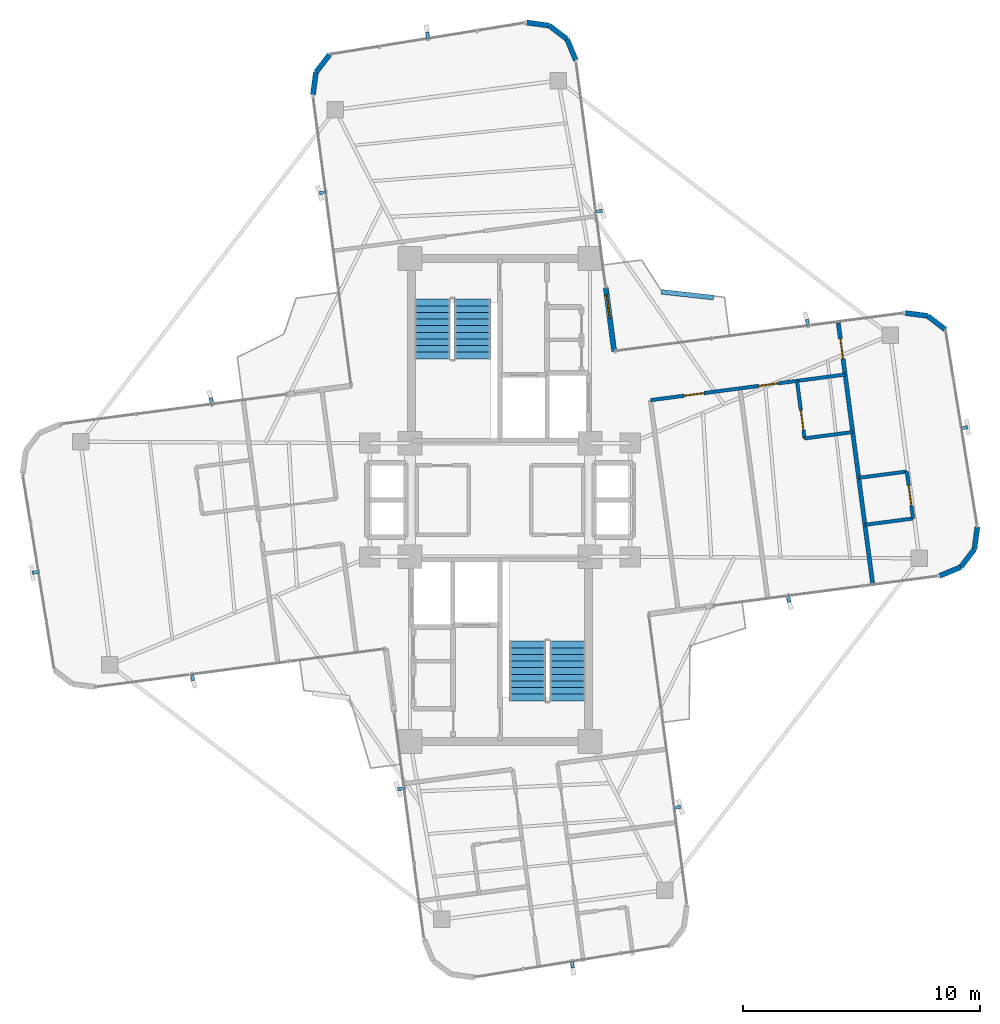
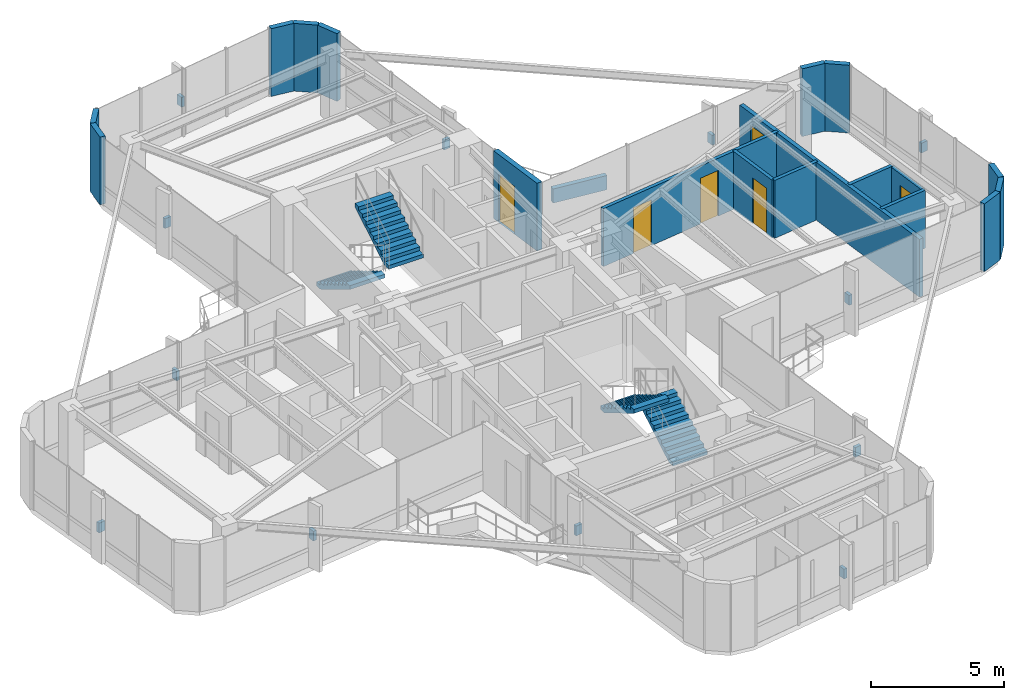
# One storey, part 21 of 22: 19 walls, 12 discrete accessories, 6 doors, 4 stair flights, 6 openings, 2 elements without a shape of their own.
"""IFC4 building model written with IfcOpenShell, lengths in metres."""

from ifc_helpers import new_model, si_unit, direction, frame, frame_2d, origin, origin_2d, place, context, subcontext, project, spatial, polyline, rectangle, outline, extrude, source, transform, mapped, material, layer, layer_set, type_object, element, fill, aggregate, save


model = new_model("IFC4")

# Units and contexts
model_context = context("Model", 3, precision=1e-05, world=origin(), true_north=direction((0.0, 1.0)))
body_context = subcontext(model_context, "Body", "Model", "MODEL_VIEW")
ifc_project = project(units=[si_unit("LENGTHUNIT", "METRE"), si_unit("AREAUNIT", "SQUARE_METRE"), si_unit("VOLUMEUNIT", "CUBIC_METRE"), si_unit("PLANEANGLEUNIT", "RADIAN"), si_unit("MASSUNIT", "GRAM", prefix="KILO")], contexts=[model_context])

# Site, building, storey
site_placement = place(None, origin())
site = spatial("IfcSite", under=ifc_project, at=site_placement, CompositionType="ELEMENT")
building_placement = place(site_placement, origin())
building = spatial("IfcBuilding", under=site, at=building_placement, Name="Sahyath Konkavel Grand Hotel", CompositionType="ELEMENT")
storey_placement = place(building_placement, frame((0.0, 0.0, 269.10009765625)))
storey = spatial("IfcBuildingStorey", under=building, at=storey_placement, Name="L75", CompositionType="ELEMENT", Elevation=269.10009765625)

# Walls
ifc_material_1 = material(Name="Warm Buff Sandstone Insulated Concrete C40/50", Category="masonry")
ifc_layer_1 = layer(ifc_material_1, 0.219970703125)
ifc_layer_set_1 = layer_set([ifc_layer_1], Name="Warm Buff Sandstone Insulated Concrete C40/50")
wall_type_1 = type_object("IfcWallType", Name="WLL-BALC-THRESH", PredefinedType="STANDARD", material=ifc_layer_set_1)
wall_1_placement = place(storey_placement, frame((18.56689453125, -3.203857421875, 0.0), z_axis=(0.0, 0.0, 1.0), x_axis=(0.923926759112, 0.382569397359, 0.0)))
element("IfcWall", 1, at=wall_1_placement, inside=storey, type_object=wall_type_1, Name="L75 Rounded Corner Sandstone Pier 1", PredefinedType="STANDARD", context=body_context, shape_type="SweptSolid", body=[
    extrude(rectangle(XDim=0.957763671875, YDim=0.219970703125, at=frame_2d((0.47900390625, 0.0))), origin(), (0.0, 0.0, 1.0), 3.10986328125),
])
for number, where, z_axis, x_axis, name in (
    (2, (19.451904296875, -2.83740234375, 0.0), (0.0, 0.0, 1.0), (0.60861352168, 0.793466811674, 0.0), "L75 Rounded Corner Sandstone Pier 2"),
    (3, (20.03466796875, -2.07763671875, 0.0), (0.0, 0.0, 1.0), (0.13056005306, 0.991440402921, 0.0), "L75 Rounded Corner Sandstone Pier 3"),
    (4, (18.814208984375, 7.1923828125, 0.0), (0.0, 0.0, 1.0), (-0.793249178392, 0.608897151398, 0.0), "L75 Rounded Corner Sandstone Pier 5"),
):
    element("IfcWall", number, at=place(storey_placement, frame(where, z_axis=z_axis, x_axis=x_axis)), inside=storey, type_object=wall_type_1, Name=name, PredefinedType="STANDARD", context=body_context, shape_type="SweptSolid", body=[
        extrude(rectangle(XDim=0.95751953125, YDim=0.219970703125, at=frame_2d((0.478759765625, 0.0))), origin(), (0.0, 0.0, 1.0), 3.10986328125),
    ])
wall_2_placement = place(storey_placement, frame((18.0546875, 7.775390625, 0.0), z_axis=(0.0, 0.0, 1.0), x_axis=(-0.991449089759, 0.130494070426, 0.0)))
element("IfcWall", 5, at=wall_2_placement, inside=storey, type_object=wall_type_1, Name="L75 Rounded Corner Sandstone Pier 6", PredefinedType="STANDARD", context=body_context, shape_type="SweptSolid", body=[
    extrude(rectangle(XDim=0.9580078125, YDim=0.219970703125, at=frame_2d((0.47900390625, 0.0))), origin(), (0.0, 0.0, 1.0), 3.10986328125),
])

# Wall, opening, door
wall_3_placement = place(storey_placement, frame((4.821044921875, 6.282958984375, 0.0), z_axis=(0.0, 0.0, 1.0), x_axis=(-0.130475563272, 0.991451525486, 0.0)))
wall_3 = element("IfcWall", 6, at=wall_3_placement, inside=storey, type_object=wall_type_1, Name="L75 Winter-Garden Threshold Wall 8", PredefinedType="STANDARD", context=body_context, shape_type="SweptSolid", body=[
    extrude(rectangle(XDim=2.7001953125, YDim=0.219970703125, at=frame_2d((1.35009765625, 0.0))), origin(), (0.0, 0.0, 1.0), 3.10986328125),
])
opening_1_placement = place(wall_3_placement, frame((1.39990234375, 0.0, 0.0)))
opening_1 = element("IfcOpeningElement", 7, at=opening_1_placement, cuts=wall_3, Name="Opening D-TR1", PredefinedType="OPENING", context=body_context, shape_type="SweptSolid", body=[
    extrude(rectangle(XDim=1.0, YDim=2.199951171875, at=frame_2d((0.5, 1.10009765625))), frame((0.0, 0.1201171875, 0.0), z_axis=(0.0, -1.0, 0.0), x_axis=(1.0, 0.0, 0.0)), (0.0, 0.0, 1.0), 0.239990234375),
])
ifc_material_2 = material(Name="Anodised Bronze Aluminium & Low-E Glazing", Category="aluminium")
door_type_1 = type_object("IfcDoorType", Name="DR-TERRACE-1000", OperationType="NOTDEFINED", PredefinedType="DOOR", material=ifc_material_2)
shared_shape_1 = source(origin(), body_context, "Body", "SweptSolid", [
    extrude(rectangle(XDim=1.0, YDim=0.050048828125, at=origin_2d()), origin(), (0.0, 0.0, 1.0), 2.199951171875),
])
door_1_placement = place(opening_1_placement, frame((0.5, 0.0, 0.0)))
door_1 = element("IfcDoor", 8, at=door_1_placement, inside=storey, type_object=door_type_1, Name="L75 Winter-Garden Terrace Door 8", OperationType="SINGLE_SWING_LEFT", OverallHeight=2.199951171875, OverallWidth=1.0, PredefinedType="DOOR", context=body_context, shape_type="MappedRepresentation", body=[
    mapped(shared_shape_1, transform((0.0, 0.0, 0.0), scale=1.0)),
])
fill(opening_1, door_1)

# Walls
wall_4_placement = place(storey_placement, frame((3.203857421875, 18.56689453125, 0.0), z_axis=(0.0, 0.0, 1.0), x_axis=(-0.382569397359, 0.923926759112, 0.0)))
element("IfcWall", 9, at=wall_4_placement, inside=storey, type_object=wall_type_1, Name="L75 Rounded Corner Sandstone Pier 9", PredefinedType="STANDARD", context=body_context, shape_type="SweptSolid", body=[
    extrude(rectangle(XDim=0.957763671875, YDim=0.219970703125, at=frame_2d((0.47900390625, 0.0))), origin(), (0.0, 0.0, 1.0), 3.10986328125),
])
for number, where, z_axis, x_axis, name in (
    (10, (2.83740234375, 19.451904296875, 0.0), (0.0, 0.0, 1.0), (-0.793466811674, 0.60861352168, 0.0), "L75 Rounded Corner Sandstone Pier 10"),
    (11, (2.07763671875, 20.03466796875, 0.0), (0.0, 0.0, 1.0), (-0.991440402921, 0.13056005306, 0.0), "L75 Rounded Corner Sandstone Pier 11"),
    (12, (-7.1923828125, 18.814208984375, 0.0), (0.0, 0.0, 1.0), (-0.608897151398, -0.793249178392, 0.0), "L75 Rounded Corner Sandstone Pier 13"),
):
    element("IfcWall", number, at=place(storey_placement, frame(where, z_axis=z_axis, x_axis=x_axis)), inside=storey, type_object=wall_type_1, Name=name, PredefinedType="STANDARD", context=body_context, shape_type="SweptSolid", body=[
        extrude(rectangle(XDim=0.95751953125, YDim=0.219970703125, at=frame_2d((0.478759765625, 0.0))), origin(), (0.0, 0.0, 1.0), 3.10986328125),
    ])
wall_5_placement = place(storey_placement, frame((-7.775390625, 18.0546875, 0.0), z_axis=(0.0, 0.0, 1.0), x_axis=(-0.130494070426, -0.991449089759, 0.0)))
element("IfcWall", 13, at=wall_5_placement, inside=storey, type_object=wall_type_1, Name="L75 Rounded Corner Sandstone Pier 14", PredefinedType="STANDARD", context=body_context, shape_type="SweptSolid", body=[
    extrude(rectangle(XDim=0.9580078125, YDim=0.219970703125, at=frame_2d((0.47900390625, 0.0))), origin(), (0.0, 0.0, 1.0), 3.10986328125),
])

# Wall, opening, door
ifc_material_3 = material(Name="Twin-Stud Acoustic Gypsum Plasterboard Partition")
ifc_layer_2 = layer(ifc_material_3, 0.179931640625)
ifc_layer_set_2 = layer_set([ifc_layer_2], Name="Twin-Stud Acoustic Gypsum Plasterboard Partition")
wall_type_2 = type_object("IfcWallType", Name="WLL-DEMISE-180", PredefinedType="PARTITIONING", material=ifc_layer_set_2)
wall_6_placement = place(storey_placement, frame((15.73486328125, -3.5263671875, 0.0), z_axis=(0.0, 0.0, 1.0), x_axis=(-0.130515390239, 0.991446283422, 0.0)))
wall_6 = element("IfcWall", 14, at=wall_6_placement, inside=storey, type_object=wall_type_2, Name="L75 Partition E-ETIP-END", PredefinedType="PARTITIONING", context=body_context, shape_type="SweptSolid", body=[
    extrude(rectangle(XDim=11.10009765625, YDim=0.179931640625, at=frame_2d((5.550048828125, 0.0))), origin(), (0.0, 0.0, 1.0), 2.659912109375),
])
opening_2_placement = place(wall_6_placement, frame((9.574951171875, 0.0, 0.0)))
opening_2 = element("IfcOpeningElement", 15, at=opening_2_placement, cuts=wall_6, Name="Opening D-F06D", PredefinedType="OPENING", context=body_context, shape_type="SweptSolid", body=[
    extrude(rectangle(XDim=0.85009765625, YDim=2.10009765625, at=frame_2d((0.425048828125, 1.050048828125))), frame((0.0, 0.10009765625, 0.0), z_axis=(0.0, -1.0, 0.0), x_axis=(1.0, 0.0, 0.0)), (0.0, 0.0, 1.0), 0.199951171875),
])
ifc_material_4 = material(Name="Fire-Rated Shaft Access Door")
door_type_2 = type_object("IfcDoorType", Name="DR-FD60-850", OperationType="NOTDEFINED", PredefinedType="DOOR", material=ifc_material_4)
shared_shape_2 = source(origin(), body_context, "Body", "SweptSolid", [
    extrude(rectangle(XDim=0.85009765625, YDim=0.050048828125, at=origin_2d()), origin(), (0.0, 0.0, 1.0), 2.10009765625),
])
door_2_placement = place(opening_2_placement, frame((0.425048828125, 0.0, 0.0)))
door_2 = element("IfcDoor", 16, at=door_2_placement, inside=storey, type_object=door_type_2, Name="L75 Door E-ETIP-ED", OperationType="SINGLE_SWING_LEFT", OverallHeight=2.10009765625, OverallWidth=0.85009765625, PredefinedType="DOOR", context=body_context, shape_type="MappedRepresentation", body=[
    mapped(shared_shape_2, transform((0.0, 0.0, 0.0), scale=1.0)),
])
fill(opening_2, door_2)

# Wall, openings, doors
ifc_material_5 = material(Name="Fire-Rated Gypsum Plasterboard Partition")
ifc_layer_3 = layer(ifc_material_5, 0.14990234375)
ifc_layer_set_3 = layer_set([ifc_layer_3], Name="Fire-Rated Gypsum Plasterboard Partition")
wall_type_3 = type_object("IfcWallType", Name="WLL-PART-150", PredefinedType="PARTITIONING", material=ifc_layer_set_3)
wall_7_placement = place(storey_placement, frame((6.35400390625, 4.21533203125, 0.0), z_axis=(0.0, 0.0, 1.0), x_axis=(0.991441861772, 0.130548974432, 0.0)))
wall_7 = element("IfcWall", 17, at=wall_7_placement, inside=storey, type_object=wall_type_3, Name="L75 Partition E-G5W", PredefinedType="PARTITIONING", context=body_context, shape_type="SweptSolid", body=[
    extrude(rectangle(XDim=8.290283203125, YDim=0.14990234375, at=frame_2d((4.14501953125, 0.0))), origin(), (0.0, 0.0, 1.0), 2.659912109375),
])
opening_3_placement = place(wall_7_placement, frame((1.430908203125, 0.0, 0.0)))
opening_3 = element("IfcOpeningElement", 18, at=opening_3_placement, cuts=wall_7, Name="Opening D-F06D", PredefinedType="OPENING", context=body_context, shape_type="SweptSolid", body=[
    extrude(rectangle(XDim=0.85009765625, YDim=2.10009765625, at=frame_2d((0.425048828125, 1.050048828125))), frame((0.0, 0.0849609375, 0.0), z_axis=(0.0, -1.0, 0.0), x_axis=(1.0, 0.0, 0.0)), (0.0, 0.0, 1.0), 0.169921875),
])
opening_4_placement = place(wall_7_placement, frame((4.60205078125, 0.0, 0.0)))
opening_4 = element("IfcOpeningElement", 19, at=opening_4_placement, cuts=wall_7, Name="Opening D-F06D", PredefinedType="OPENING", context=body_context, shape_type="SweptSolid", body=[
    extrude(rectangle(XDim=0.85009765625, YDim=2.10009765625, at=frame_2d((0.425048828125, 1.050048828125))), frame((0.0, 0.0849609375, 0.0), z_axis=(0.0, -1.0, 0.0), x_axis=(1.0, 0.0, 0.0)), (0.0, 0.0, 1.0), 0.169921875),
])
door_3_placement = place(opening_3_placement, frame((0.425048828125, 0.0, 0.0)))
door_3 = element("IfcDoor", 20, at=door_3_placement, inside=storey, type_object=door_type_2, Name="L75 Door E-ED1-D", OperationType="SINGLE_SWING_LEFT", OverallHeight=2.10009765625, OverallWidth=0.85009765625, PredefinedType="DOOR", context=body_context, shape_type="MappedRepresentation", body=[
    mapped(shared_shape_2, transform((0.0, 0.0, 0.0), scale=1.0)),
])
fill(opening_3, door_3)
door_4_placement = place(opening_4_placement, frame((0.425048828125, 0.0, 0.0)))
door_4 = element("IfcDoor", 21, at=door_4_placement, inside=storey, type_object=door_type_2, Name="L75 Door E-ED2-ED", OperationType="SINGLE_SWING_LEFT", OverallHeight=2.10009765625, OverallWidth=0.85009765625, PredefinedType="DOOR", context=body_context, shape_type="MappedRepresentation", body=[
    mapped(shared_shape_2, transform((0.0, 0.0, 0.0), scale=1.0)),
])
fill(opening_4, door_4)

# Wall, opening, door
wall_8_placement = place(storey_placement, frame((12.540771484375, 5.02978515625, 0.0), z_axis=(0.0, 0.0, 1.0), x_axis=(0.130544735166, -0.991442419972, 0.0)))
wall_8 = element("IfcWall", 22, at=wall_8_placement, inside=storey, type_object=wall_type_3, Name="L75 Partition E-ED2-BS", PredefinedType="PARTITIONING", context=body_context, shape_type="SweptSolid", body=[
    extrude(rectangle(XDim=2.449951171875, YDim=0.14990234375, at=frame_2d((1.22509765625, 0.0))), origin(), (0.0, 0.0, 1.0), 2.659912109375),
])
opening_5_placement = place(wall_8_placement, frame((1.25, 0.0, 0.0)))
opening_5 = element("IfcOpeningElement", 23, at=opening_5_placement, cuts=wall_8, Name="Opening D-BT85", PredefinedType="OPENING", context=body_context, shape_type="SweptSolid", body=[
    extrude(rectangle(XDim=0.85009765625, YDim=2.10009765625, at=frame_2d((0.425048828125, 1.050048828125))), frame((0.0, 0.0849609375, 0.0), z_axis=(0.0, -1.0, 0.0), x_axis=(1.0, 0.0, 0.0)), (0.0, 0.0, 1.0), 0.169921875),
])
ifc_material_6 = material(Name="Moisture-Resistant Teak Bathroom Door")
door_type_3 = type_object("IfcDoorType", Name="DR-BATH-850", OperationType="NOTDEFINED", PredefinedType="DOOR", material=ifc_material_6)
door_5_placement = place(opening_5_placement, frame((0.425048828125, 0.0, 0.0)))
door_5 = element("IfcDoor", 24, at=door_5_placement, inside=storey, type_object=door_type_3, Name="L75 Door E-ED2-BD", OperationType="SINGLE_SWING_RIGHT", OverallHeight=2.10009765625, OverallWidth=0.85009765625, PredefinedType="DOOR", context=body_context, shape_type="MappedRepresentation", body=[
    mapped(shared_shape_2, transform((0.0, 0.0, 0.0), scale=1.0)),
])
fill(opening_5, door_5)

# Walls
for number, where, z_axis, x_axis, name in (
    (25, (12.860595703125, 2.600830078125, 0.0), (0.0, 0.0, 1.0), (0.991444969909, 0.13052536781, 0.0), "L75 Partition E-ED2-BF"),
    (26, (15.1474609375, 0.93505859375, 0.0), (0.0, 0.0, 1.0), (0.991444969909, 0.13052536781, 0.0), "L75 Partition E-ETIP-BN"),
):
    element("IfcWall", number, at=place(storey_placement, frame(where, z_axis=z_axis, x_axis=x_axis)), inside=storey, type_object=wall_type_3, Name=name, PredefinedType="PARTITIONING", context=body_context, shape_type="SweptSolid", body=[
        extrude(rectangle(XDim=2.050048828125, YDim=0.14990234375, at=frame_2d((1.02490234375, 0.0))), origin(), (0.0, 0.0, 1.0), 2.659912109375),
    ])
wall_9_placement = place(storey_placement, frame((15.40869140625, -1.047607421875, 0.0), z_axis=(0.0, 0.0, 1.0), x_axis=(0.991458349128, 0.130423701621, 0.0)))
element("IfcWall", 27, at=wall_9_placement, inside=storey, type_object=wall_type_3, Name="L75 Partition E-ETIP-BS", PredefinedType="PARTITIONING", context=body_context, shape_type="SweptSolid", body=[
    extrude(rectangle(XDim=2.0498046875, YDim=0.14990234375, at=frame_2d((1.02490234375, 0.0))), origin(), (0.0, 0.0, 1.0), 2.659912109375),
])

# Wall, opening, door
wall_10_placement = place(storey_placement, frame((17.44091796875, -0.7802734375, 0.0), z_axis=(0.0, 0.0, 1.0), x_axis=(-0.130492404742, 0.991449308994, 0.0)))
wall_10 = element("IfcWall", 28, at=wall_10_placement, inside=storey, type_object=wall_type_3, Name="L75 Partition E-ETIP-BE", PredefinedType="PARTITIONING", context=body_context, shape_type="SweptSolid", body=[
    extrude(rectangle(XDim=2.0, YDim=0.14990234375, at=frame_2d((1.0, 0.0))), origin(), (0.0, 0.0, 1.0), 2.6298828125),
])
opening_6_placement = place(wall_10_placement, frame((0.550048828125, 0.0, 0.0)))
opening_6 = element("IfcOpeningElement", 29, at=opening_6_placement, cuts=wall_10, Name="Opening D-BT85", PredefinedType="OPENING", context=body_context, shape_type="SweptSolid", body=[
    extrude(rectangle(XDim=0.85009765625, YDim=2.10009765625, at=frame_2d((0.425048828125, 1.050048828125))), frame((0.0, 0.0849609375, 0.0), z_axis=(0.0, -1.0, 0.0), x_axis=(1.0, 0.0, 0.0)), (0.0, 0.0, 1.0), 0.169921875),
])
door_6_placement = place(opening_6_placement, frame((0.425048828125, 0.0, 0.0)))
door_6 = element("IfcDoor", 30, at=door_6_placement, inside=storey, type_object=door_type_3, Name="L75 Door E-ETIP-BD", OperationType="SINGLE_SWING_RIGHT", OverallHeight=2.10009765625, OverallWidth=0.85009765625, PredefinedType="DOOR", context=body_context, shape_type="MappedRepresentation", body=[
    mapped(shared_shape_2, transform((0.0, 0.0, 0.0), scale=1.0)),
])
fill(opening_6, door_6)

# Wall
ifc_material_7 = material(Name="Warm Buff Sandstone Planter Wall", Category="masonry")
ifc_layer_4 = layer(ifc_material_7, 0.199951171875)
ifc_layer_set_4 = layer_set([ifc_layer_4], Name="Warm Buff Sandstone Planter Wall")
wall_type_4 = type_object("IfcWallType", Name="WLL-PLANTER-200", PredefinedType="PARAPET", material=ifc_layer_set_4)
wall_11_placement = place(storey_placement, frame((9.013427734375, 8.546875, 0.0), z_axis=(0.0, 0.0, 1.0), x_axis=(-0.993982778336, 0.109536461382, 0.0)))
element("IfcWall", 31, at=wall_11_placement, inside=storey, type_object=wall_type_4, Name="L75 Sky-Garden Stone Planter PLANTER NE", PredefinedType="PARAPET", context=body_context, shape_type="SweptSolid", body=[
    extrude(rectangle(XDim=2.215576171875, YDim=0.199951171875, at=frame_2d((1.10791015625, 0.0))), origin(), (0.0, 0.0, 1.0), 0.64990234375),
])

# Stair, stair flights
ifc_material_8 = material(Name="Concrete C40/50", Category="concrete")
stair_type = type_object("IfcStairType", Name="STR-ST16-335", PredefinedType="HALF_TURN_STAIR", material=ifc_material_8)
stair_1_placement = place(storey_placement, origin())
stair_1 = element("IfcStair", 32, at=stair_1_placement, inside=storey, type_object=stair_type, Name="L75 North Core Smokeproof Exit Stair ST-1", PredefinedType="HALF_TURN_STAIR")
stair_flight_type = type_object("IfcStairFlightType", Name="STF-ST16-335", PredefinedType="STRAIGHT", material=ifc_material_8)
stair_flight_1_placement = place(storey_placement, frame((-2.840087890625, 8.47998046875, 0.0), z_axis=(0.0, 0.0, 1.0), x_axis=(0.0, -1.0, 0.0)))
stair_flight_1 = element("IfcStairFlight", 33, at=stair_flight_1_placement, type_object=stair_flight_type, Name="ST-1 flight 1", NumberOfRisers=10, NumberOfTreads=9, PredefinedType="STRAIGHT", RiserHeight=0.1675, TreadLength=0.28, context=body_context, shape_type="SweptSolid", body=[
    extrude(outline(polyline([(0.0, 0.0), (0.0, 0.16748046875), (0.280029296875, 0.16748046875), (0.280029296875, 0.3349609375), (0.56005859375, 0.3349609375), (0.56005859375, 0.50244140625), (0.840087890625, 0.50244140625), (0.840087890625, 0.669921875), (1.1201171875, 0.669921875), (1.1201171875, 0.83740234375), (1.39990234375, 0.83740234375), (1.39990234375, 1.0048828125), (1.679931640625, 1.0048828125), (1.679931640625, 1.172607421875), (1.9599609375, 1.172607421875), (1.9599609375, 1.340087890625), (2.239990234375, 1.340087890625), (2.239990234375, 1.507568359375), (2.52001953125, 1.507568359375), (2.52001953125, 1.675048828125), (2.52001953125, 1.332763671875), (0.2919921875, 0.0), (0.0, 0.0)])), frame((0.0, 0.760009765625, 0.0), z_axis=(0.0, -1.0, 0.0), x_axis=(1.0, 0.0, 0.0)), (0.0, 0.0, 1.0), 1.52001953125),
])
stair_flight_2_placement = place(storey_placement, frame((-1.159912109375, 5.9599609375, 1.6748046875), z_axis=(0.0, 0.0, 1.0), x_axis=(0.0, 1.0, 0.0)))
stair_flight_2 = element("IfcStairFlight", 34, at=stair_flight_2_placement, type_object=stair_flight_type, Name="ST-1 flight 2", NumberOfRisers=10, NumberOfTreads=9, PredefinedType="STRAIGHT", RiserHeight=0.1675, TreadLength=0.28, context=body_context, shape_type="SweptSolid", body=[
    extrude(outline(polyline([(0.0, 0.0), (0.0, 0.16748046875), (0.280029296875, 0.16748046875), (0.280029296875, 0.3349609375), (0.56005859375, 0.3349609375), (0.56005859375, 0.50244140625), (0.840087890625, 0.50244140625), (0.840087890625, 0.669921875), (1.1201171875, 0.669921875), (1.1201171875, 0.83740234375), (1.39990234375, 0.83740234375), (1.39990234375, 1.0048828125), (1.679931640625, 1.0048828125), (1.679931640625, 1.172607421875), (1.9599609375, 1.172607421875), (1.9599609375, 1.340087890625), (2.239990234375, 1.340087890625), (2.239990234375, 1.507568359375), (2.52001953125, 1.507568359375), (2.52001953125, 1.675048828125), (2.52001953125, 1.332763671875), (0.2919921875, 0.0), (0.0, 0.0)])), frame((0.0, 0.760009765625, 0.0), z_axis=(0.0, -1.0, 0.0), x_axis=(1.0, 0.0, 0.0)), (0.0, 0.0, 1.0), 1.52001953125),
])
aggregate(stair_1, [stair_flight_1, stair_flight_2])

stair_2_placement = place(storey_placement, origin())
stair_2 = element("IfcStair", 35, at=stair_2_placement, inside=storey, type_object=stair_type, Name="L75 South Core Smokeproof Exit Stair ST-2", PredefinedType="HALF_TURN_STAIR")
stair_flight_3_placement = place(storey_placement, frame((2.840087890625, -8.47998046875, 0.0), z_axis=(0.0, 0.0, 1.0), x_axis=(0.0, 1.0, 0.0)))
stair_flight_3 = element("IfcStairFlight", 36, at=stair_flight_3_placement, type_object=stair_flight_type, Name="ST-2 flight 1", NumberOfRisers=10, NumberOfTreads=9, PredefinedType="STRAIGHT", RiserHeight=0.1675, TreadLength=0.28, context=body_context, shape_type="SweptSolid", body=[
    extrude(outline(polyline([(0.0, 0.0), (0.0, 0.16748046875), (0.280029296875, 0.16748046875), (0.280029296875, 0.3349609375), (0.56005859375, 0.3349609375), (0.56005859375, 0.50244140625), (0.840087890625, 0.50244140625), (0.840087890625, 0.669921875), (1.1201171875, 0.669921875), (1.1201171875, 0.83740234375), (1.39990234375, 0.83740234375), (1.39990234375, 1.0048828125), (1.679931640625, 1.0048828125), (1.679931640625, 1.172607421875), (1.9599609375, 1.172607421875), (1.9599609375, 1.340087890625), (2.239990234375, 1.340087890625), (2.239990234375, 1.507568359375), (2.52001953125, 1.507568359375), (2.52001953125, 1.675048828125), (2.52001953125, 1.332763671875), (0.2919921875, 0.0), (0.0, 0.0)])), frame((0.0, 0.760009765625, 0.0), z_axis=(0.0, -1.0, 0.0), x_axis=(1.0, 0.0, 0.0)), (0.0, 0.0, 1.0), 1.52001953125),
])
stair_flight_4_placement = place(storey_placement, frame((1.159912109375, -5.9599609375, 1.6748046875), z_axis=(0.0, 0.0, 1.0), x_axis=(0.0, -1.0, 0.0)))
stair_flight_4 = element("IfcStairFlight", 37, at=stair_flight_4_placement, type_object=stair_flight_type, Name="ST-2 flight 2", NumberOfRisers=10, NumberOfTreads=9, PredefinedType="STRAIGHT", RiserHeight=0.1675, TreadLength=0.28, context=body_context, shape_type="SweptSolid", body=[
    extrude(outline(polyline([(0.0, 0.0), (0.0, 0.16748046875), (0.280029296875, 0.16748046875), (0.280029296875, 0.3349609375), (0.56005859375, 0.3349609375), (0.56005859375, 0.50244140625), (0.840087890625, 0.50244140625), (0.840087890625, 0.669921875), (1.1201171875, 0.669921875), (1.1201171875, 0.83740234375), (1.39990234375, 0.83740234375), (1.39990234375, 1.0048828125), (1.679931640625, 1.0048828125), (1.679931640625, 1.172607421875), (1.9599609375, 1.172607421875), (1.9599609375, 1.340087890625), (2.239990234375, 1.340087890625), (2.239990234375, 1.507568359375), (2.52001953125, 1.507568359375), (2.52001953125, 1.675048828125), (2.52001953125, 1.332763671875), (0.2919921875, 0.0), (0.0, 0.0)])), frame((0.0, 0.760009765625, 0.0), z_axis=(0.0, -1.0, 0.0), x_axis=(1.0, 0.0, 0.0)), (0.0, 0.0, 1.0), 1.52001953125),
])
aggregate(stair_2, [stair_flight_3, stair_flight_4])

# Discrete accessories
ifc_material_9 = material(Name="Steel E350", Category="steel")
discrete_accessory_type = type_object("IfcDiscreteAccessoryType", Name="ACC-FIN-BRACKET", PredefinedType="BRACKET", material=ifc_material_9)
shared_shape_3 = source(origin(), body_context, "Body", "SweptSolid", [
    extrude(rectangle(XDim=0.280029296875, YDim=0.139892578125, at=origin_2d()), origin(), (0.0, 0.0, 1.0), 0.449951171875),
])
for number, where, z_axis, x_axis, name in (
    (38, (12.1923828125, -4.17431640625, 1.330078125), (0.0, 0.0, 1.0), (0.13052619222, -0.991444861374, 0.0), "L75 Fin Support Bracket F0-1"),
    (39, (19.615234375, 3.052734375, 1.330078125), (0.0, 0.0, 1.0), (0.987178088041, 0.159622750546, 0.0), "L75 Fin Support Bracket F4-2"),
    (40, (12.980224609375, 7.48828125, 1.330078125), (0.0, 0.0, 1.0), (-0.13052619222, 0.991444861374, 0.0), "L75 Fin Support Bracket F7-1"),
    (41, (4.17431640625, 12.1923828125, 1.330078125), (0.0, 0.0, 1.0), (0.991444861374, 0.13052619222, 0.0), "L75 Fin Support Bracket F8-1"),
    (42, (-3.052734375, 19.615234375, 1.330078125), (0.0, 0.0, 1.0), (-0.159622750546, 0.987178088041, 0.0), "L75 Fin Support Bracket F12-2"),
    (43, (-7.48828125, 12.980224609375, 1.330078125), (0.0, 0.0, 1.0), (-0.991444861374, -0.13052619222, 0.0), "L75 Fin Support Bracket F15-1"),
    (44, (-12.1923828125, 4.17431640625, 1.330078125), (0.0, 0.0, 1.0), (-0.13052619222, 0.991444861374, 0.0), "L75 Fin Support Bracket F16-1"),
    (45, (-19.615234375, -3.052734375, 1.330078125), (0.0, 0.0, 1.0), (-0.987178088041, -0.159622750546, 0.0), "L75 Fin Support Bracket F20-2"),
    (46, (-12.980224609375, -7.48828125, 1.330078125), (0.0, 0.0, 1.0), (0.13052619222, -0.991444861374, 0.0), "L75 Fin Support Bracket F23-1"),
    (47, (-4.17431640625, -12.1923828125, 1.330078125), (0.0, 0.0, 1.0), (-0.991444861374, -0.13052619222, 0.0), "L75 Fin Support Bracket F24-1"),
    (48, (3.052734375, -19.615234375, 1.330078125), (0.0, 0.0, 1.0), (0.159622750546, -0.987178088041, 0.0), "L75 Fin Support Bracket F28-2"),
    (49, (7.48828125, -12.980224609375, 1.330078125), (0.0, 0.0, 1.0), (0.991444861374, 0.13052619222, 0.0), "L75 Fin Support Bracket F31-1"),
):
    element("IfcDiscreteAccessory", number, at=place(storey_placement, frame(where, z_axis=z_axis, x_axis=x_axis)), inside=storey, type_object=discrete_accessory_type, Name=name, PredefinedType="BRACKET", context=body_context, shape_type="MappedRepresentation", body=[
        mapped(shared_shape_3, transform((0.0, 0.0, 0.0), scale=1.0)),
    ])

save(model, "model.ifc")
